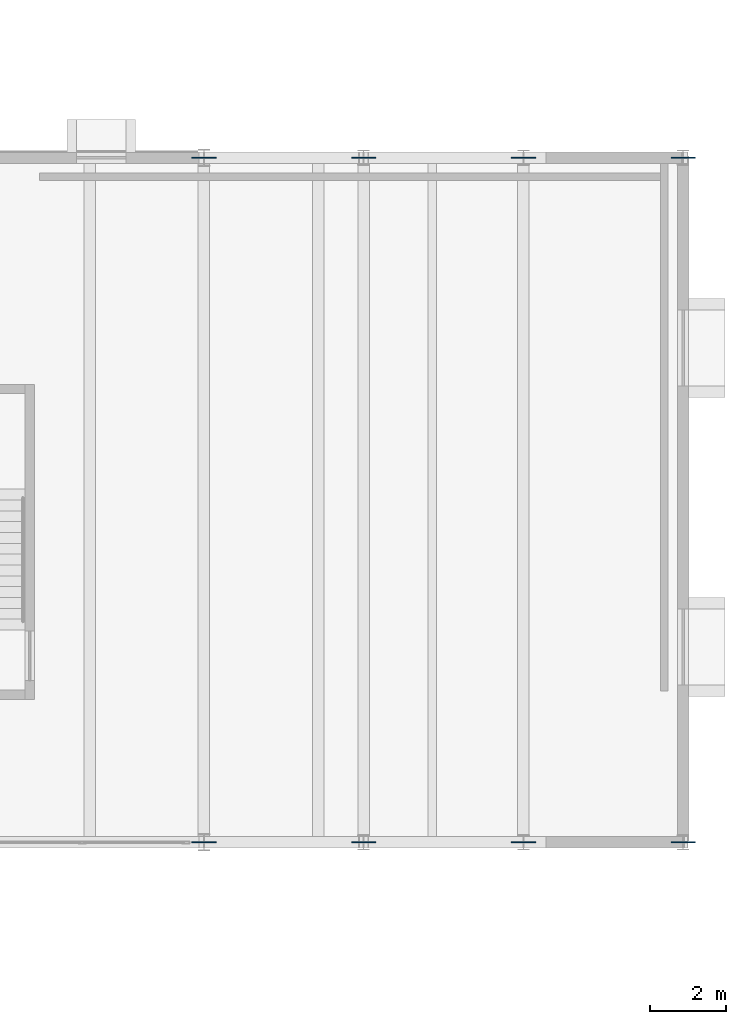
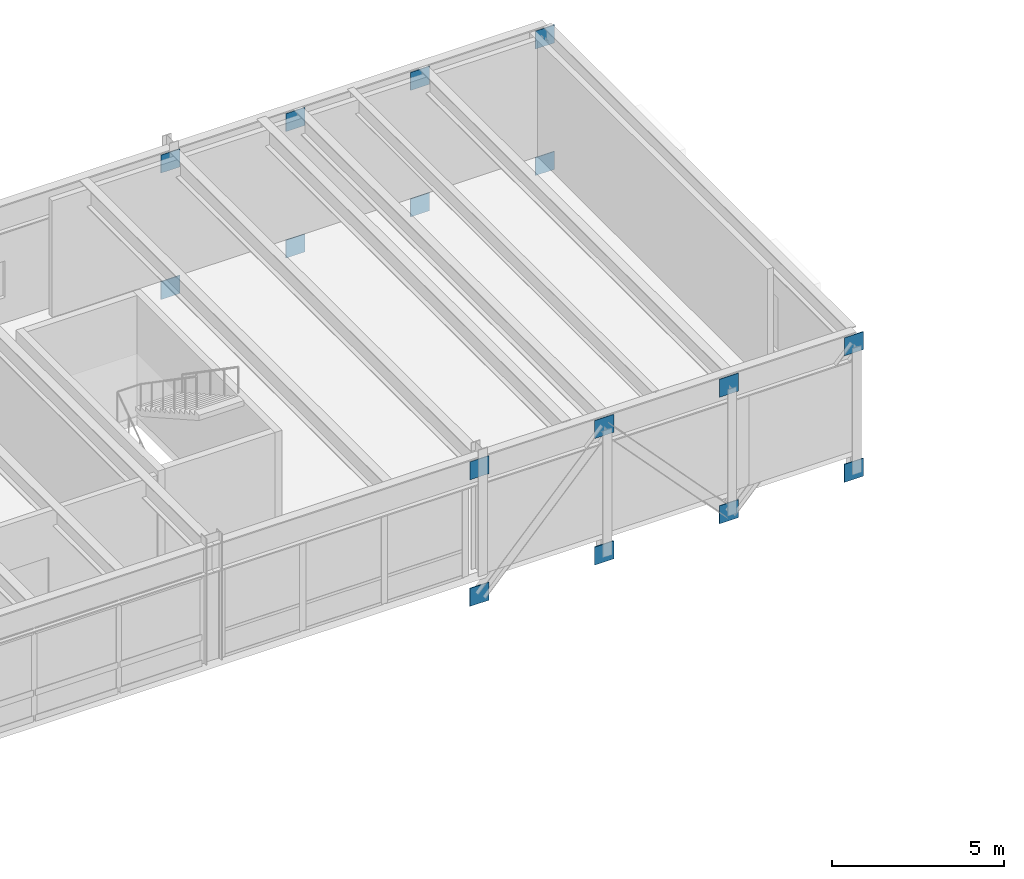
# One storey, part 129 of 142: 16 plates.
"""IFC4 building model written with IfcOpenShell, lengths in metres."""

from ifc_helpers import new_model, si_unit, direction, frame, origin, origin_2d, place, context, subcontext, project, spatial, rectangle, extrude, material, layer, layer_set, type_object, element, save


model = new_model("IFC4")

# Units and contexts
model_context = context("Model", 3, precision=1e-05, world=origin(), true_north=direction((0.0, 1.0)))
body_context = subcontext(model_context, "Body", "Model", "MODEL_VIEW")
ifc_project = project(units=[si_unit("LENGTHUNIT", "METRE"), si_unit("AREAUNIT", "SQUARE_METRE"), si_unit("VOLUMEUNIT", "CUBIC_METRE"), si_unit("PLANEANGLEUNIT", "RADIAN"), si_unit("MASSUNIT", "GRAM", prefix="KILO")], contexts=[model_context])

# Site, building, storey
site_placement = place(None, origin())
site = spatial("IfcSite", under=ifc_project, at=site_placement, CompositionType="ELEMENT")
building_placement = place(site_placement, origin())
building = spatial("IfcBuilding", under=site, at=building_placement, Name="Montelvaro Courts of Justice", CompositionType="ELEMENT")
storey_placement = place(building_placement, frame((0.0, 0.0, 14.39990234375)))
storey = spatial("IfcBuildingStorey", under=building, at=storey_placement, Name="L03", CompositionType="ELEMENT", Elevation=14.39990234375)

# Plates
ifc_material = material(Name="Steel S355", Category="steel")
ifc_layer = layer(ifc_material, 0.028076171875)
ifc_layer_set = layer_set([ifc_layer], Name="Steel S355")
plate_type = type_object("IfcPlateType", Name="GussetPlate_28", PredefinedType="USERDEFINED", material=ifc_layer_set)
for number, where, z_axis, x_axis, name in (
    (1, (162.0, 78.0, -1.1240234375), (0.0, 0.0, 1.0), (1.0, 0.0, 0.0), "Pratt Truss Gusset Plate GP-02 CTR-V2-S-L03-0B"),
    (2, (162.0, 78.0, 3.3759765625), (0.0, 0.0, 1.0), (1.0, 0.0, 0.0), "Pratt Truss Gusset Plate GP-02 CTR-V2-S-L03-0T"),
    (3, (166.199951171875, 78.0, -1.1240234375), (0.0, 0.0, 1.0), (1.0, 0.0, 0.0), "Pratt Truss Gusset Plate GP-02 CTR-V2-S-L03-1B"),
    (4, (166.199951171875, 78.0, 3.3759765625), (0.0, 0.0, 1.0), (1.0, 0.0, 0.0), "Pratt Truss Gusset Plate GP-02 CTR-V2-S-L03-1T"),
    (5, (170.39990234375, 78.0, -1.1240234375), (0.0, 0.0, 1.0), (1.0, 0.0, 0.0), "Pratt Truss Gusset Plate GP-02 CTR-V2-S-L03-2B"),
    (6, (170.39990234375, 78.0, 3.3759765625), (0.0, 0.0, 1.0), (1.0, 0.0, 0.0), "Pratt Truss Gusset Plate GP-02 CTR-V2-S-L03-2T"),
    (7, (174.60009765625, 78.0, -1.1240234375), (0.0, 0.0, 1.0), (1.0, 0.0, 0.0), "Pratt Truss Gusset Plate GP-02 CTR-V2-S-L03-3B"),
    (8, (174.60009765625, 78.0, 3.3759765625), (0.0, 0.0, 1.0), (1.0, 0.0, 0.0), "Pratt Truss Gusset Plate GP-02 CTR-V2-S-L03-3T"),
    (9, (162.0, 96.0, -1.1240234375), (0.0, 0.0, 1.0), (1.0, 0.0, 0.0), "Pratt Truss Gusset Plate GP-02 CTR-V2-N-L03-0B"),
    (10, (162.0, 96.0, 3.3759765625), (0.0, 0.0, 1.0), (1.0, 0.0, 0.0), "Pratt Truss Gusset Plate GP-02 CTR-V2-N-L03-0T"),
    (11, (166.199951171875, 96.0, -1.1240234375), (0.0, 0.0, 1.0), (1.0, 0.0, 0.0), "Pratt Truss Gusset Plate GP-02 CTR-V2-N-L03-1B"),
    (12, (166.199951171875, 96.0, 3.3759765625), (0.0, 0.0, 1.0), (1.0, 0.0, 0.0), "Pratt Truss Gusset Plate GP-02 CTR-V2-N-L03-1T"),
    (13, (170.39990234375, 96.0, -1.1240234375), (0.0, 0.0, 1.0), (1.0, 0.0, 0.0), "Pratt Truss Gusset Plate GP-02 CTR-V2-N-L03-2B"),
    (14, (170.39990234375, 96.0, 3.3759765625), (0.0, 0.0, 1.0), (1.0, 0.0, 0.0), "Pratt Truss Gusset Plate GP-02 CTR-V2-N-L03-2T"),
    (15, (174.60009765625, 96.0, -1.1240234375), (0.0, 0.0, 1.0), (1.0, 0.0, 0.0), "Pratt Truss Gusset Plate GP-02 CTR-V2-N-L03-3B"),
    (16, (174.60009765625, 96.0, 3.3759765625), (0.0, 0.0, 1.0), (1.0, 0.0, 0.0), "Pratt Truss Gusset Plate GP-02 CTR-V2-N-L03-3T"),
):
    element("IfcPlate", number, at=place(storey_placement, frame(where, z_axis=z_axis, x_axis=x_axis)), inside=storey, type_object=plate_type, Name=name, ObjectType="GUSSET PLATE", PredefinedType="USERDEFINED", context=body_context, shape_type="SweptSolid", body=[
        extrude(rectangle(XDim=0.639892578125, YDim=0.028076171875, at=origin_2d()), origin(), (0.0, 0.0, 1.0), 0.639892578125),
    ])

save(model, "model.ifc")
